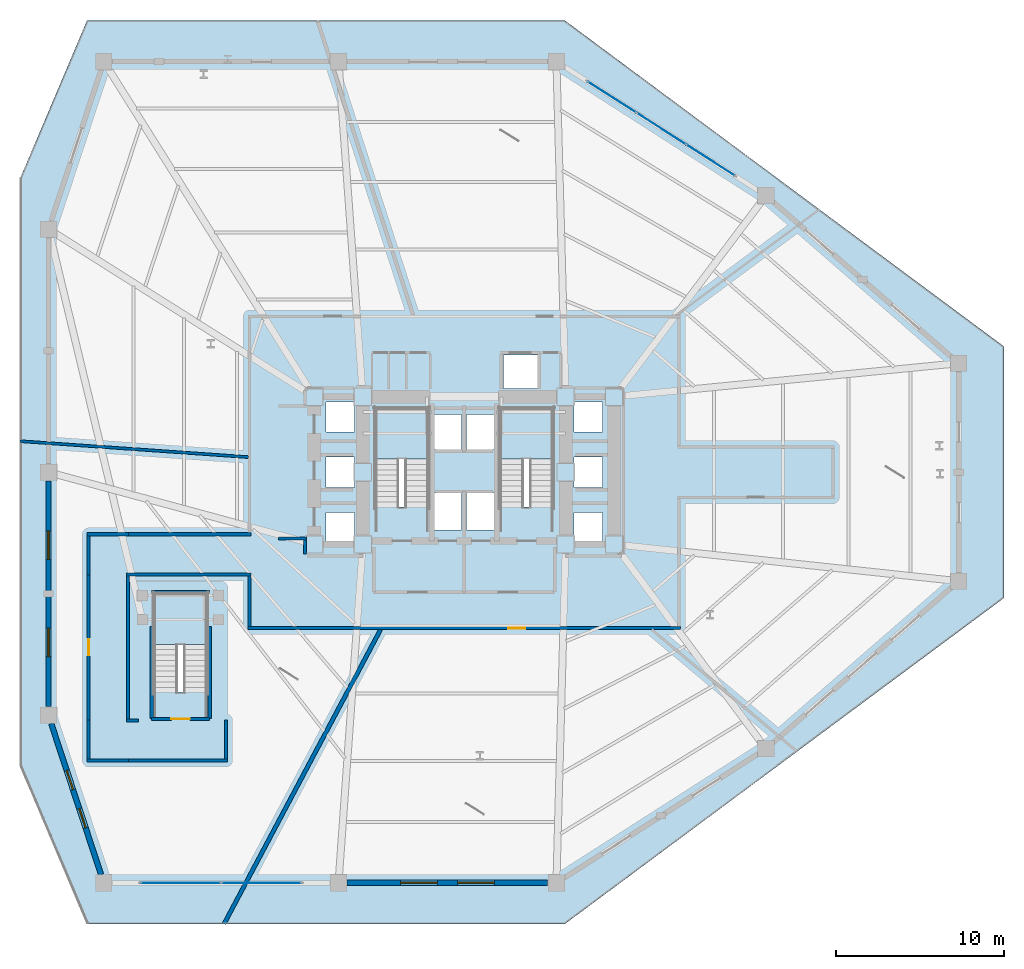
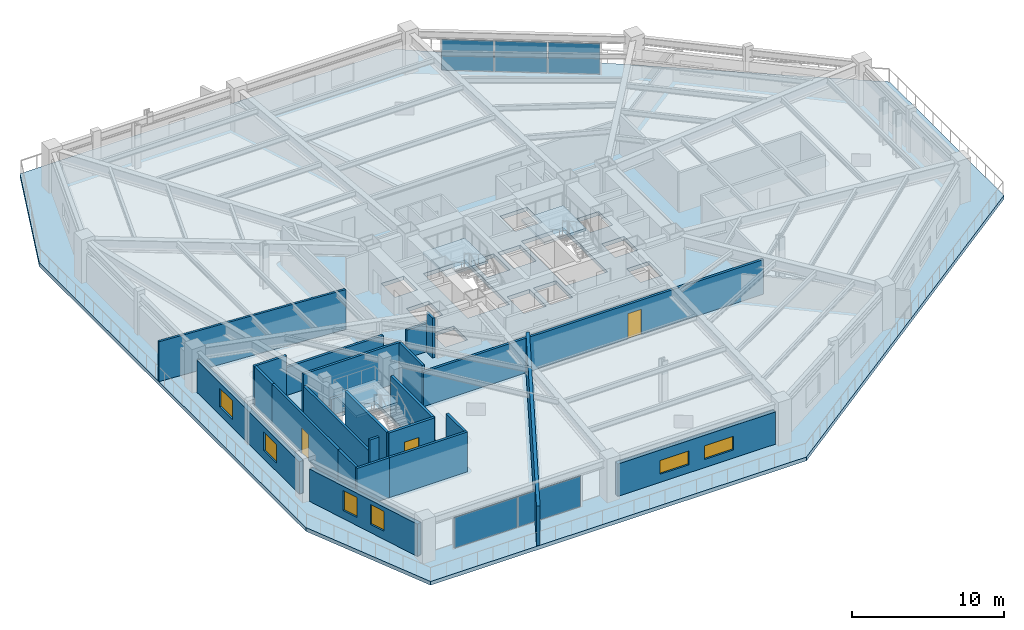
# One storey, part 5 of 12: 24 walls, 6 windows, 5 plates, 4 slabs, 3 doors, 9 openings, 5 elements without a shape of their own.
"""IFC4 building model written with IfcOpenShell, lengths in metres."""

from ifc_helpers import new_model, si_unit, direction, frame, frame_2d, origin, origin_2d, place, context, subcontext, project, spatial, polyline, rectangle, outline, extrude, material, layer, layer_set, type_object, element, fill, aggregate, save


model = new_model("IFC4")

# Units and contexts
model_context = context("Model", 3, precision=1e-05, world=origin(), true_north=direction((0.0, 1.0)))
body_context = subcontext(model_context, "Body", "Model", "MODEL_VIEW")
ifc_project = project(units=[si_unit("LENGTHUNIT", "METRE"), si_unit("AREAUNIT", "SQUARE_METRE"), si_unit("VOLUMEUNIT", "CUBIC_METRE"), si_unit("PLANEANGLEUNIT", "RADIAN"), si_unit("MASSUNIT", "GRAM", prefix="KILO")], contexts=[model_context])

# Site, building, storey
site_placement = place(None, origin())
site = spatial("IfcSite", under=ifc_project, at=site_placement, CompositionType="ELEMENT")
building_placement = place(site_placement, origin())
building = spatial("IfcBuilding", under=site, at=building_placement, Name="Rocaltana Carrier Exchange", CompositionType="ELEMENT")
storey_placement = place(building_placement, frame((0.0, 0.0, 8.320068359375)))
storey = spatial("IfcBuildingStorey", under=building, at=storey_placement, Name="L03", CompositionType="ELEMENT", Elevation=8.320068359375)

# Curtain wall, plates
ifc_material_1 = material(Name="Aluminium 6063-T6", Category="aluminium")
ifc_layer_1 = layer(ifc_material_1, 0.179931640625)
ifc_layer_set_1 = layer_set([ifc_layer_1], Name="Aluminium 6063-T6")
curtain_wall_type = type_object("IfcCurtainWallType", Name="Sandstone Spandrel Unitised Curtain Wall CW-01", PredefinedType="NOTDEFINED", material=ifc_layer_set_1)
curtain_wall_1_placement = place(storey_placement, origin())
curtain_wall_1 = element("IfcCurtainWall", 1, at=curtain_wall_1_placement, inside=storey, type_object=curtain_wall_type, Name="L03 CW-01 Run CW01-POD-L03-B01", PredefinedType="NOTDEFINED")
ifc_material_2 = material(Name="Tempered Laminated Glass", Category="glass")
ifc_layer_2 = layer(ifc_material_2, 0.0439453125)
ifc_layer_set_2 = layer_set([ifc_layer_2], Name="Tempered Laminated Glass")
plate_type = type_object("IfcPlateType", Name="CW-01 Stone-Insulated Vision Panel", PredefinedType="CURTAIN_PANEL", material=ifc_layer_set_2)
plate_1_placement = place(storey_placement, frame((-12.09130859375, -24.5, 0.06494140625), z_axis=(0.0, 0.0, 1.0), x_axis=(-1.0, 0.0, 0.0)))
plate_1 = element("IfcPlate", 2, at=plate_1_placement, type_object=plate_type, Name="CW-01 panel 1.1", PredefinedType="CURTAIN_PANEL", context=body_context, shape_type="SweptSolid", body=[
    extrude(rectangle(XDim=4.75244140625, YDim=0.0439453125, at=origin_2d()), origin(), (0.0, 0.0, 1.0), 2.4580078125),
])
plate_2_placement = place(storey_placement, frame((-16.90869140625, -24.5, 0.06494140625), z_axis=(0.0, 0.0, 1.0), x_axis=(-1.0, 0.0, 0.0)))
plate_2 = element("IfcPlate", 3, at=plate_2_placement, type_object=plate_type, Name="CW-01 panel 2.1", PredefinedType="CURTAIN_PANEL", context=body_context, shape_type="SweptSolid", body=[
    extrude(rectangle(XDim=4.75244140625, YDim=0.0439453125, at=origin_2d()), origin(), (0.0, 0.0, 1.0), 2.4580078125),
])
aggregate(curtain_wall_1, [plate_1, plate_2])

curtain_wall_2_placement = place(storey_placement, origin())
curtain_wall_2 = element("IfcCurtainWall", 4, at=curtain_wall_2_placement, inside=storey, type_object=curtain_wall_type, Name="L03 CW-01 Run CW01-POD-L03-B07", PredefinedType="NOTDEFINED")
plate_3_placement = place(storey_placement, frame((8.80419921875, 22.38525390625, 0.06494140625), z_axis=(0.0, 0.0, 1.0), x_axis=(0.842273468198, -0.539050465884, 0.0)))
plate_3 = element("IfcPlate", 5, at=plate_3_placement, type_object=plate_type, Name="CW-01 panel 1.1", PredefinedType="CURTAIN_PANEL", context=body_context, shape_type="SweptSolid", body=[
    extrude(rectangle(XDim=3.416015625, YDim=0.0439453125, at=origin_2d()), origin(), (0.0, 0.0, 1.0), 2.4580078125),
])
plate_4_placement = place(storey_placement, frame((11.75, 20.5, 0.06494140625), z_axis=(0.0, 0.0, 1.0), x_axis=(0.842273468198, -0.539050465884, 0.0)))
plate_4 = element("IfcPlate", 6, at=plate_4_placement, type_object=plate_type, Name="CW-01 panel 2.1", PredefinedType="CURTAIN_PANEL", context=body_context, shape_type="SweptSolid", body=[
    extrude(rectangle(XDim=3.448486328125, YDim=0.0439453125, at=origin_2d()), origin(), (0.0, 0.0, 1.0), 2.4580078125),
])
plate_5_placement = place(storey_placement, frame((14.69580078125, 18.61474609375, 0.06494140625), z_axis=(0.0, 0.0, 1.0), x_axis=(0.842273468198, -0.539050465884, 0.0)))
plate_5 = element("IfcPlate", 7, at=plate_5_placement, type_object=plate_type, Name="CW-01 panel 3.1", PredefinedType="CURTAIN_PANEL", context=body_context, shape_type="SweptSolid", body=[
    extrude(rectangle(XDim=3.416015625, YDim=0.0439453125, at=origin_2d()), origin(), (0.0, 0.0, 1.0), 2.4580078125),
])
aggregate(curtain_wall_2, [plate_3, plate_4, plate_5])

# Slab
ifc_material_3 = material(Name="Concrete C60/75", Category="concrete")
ifc_layer_3 = layer(ifc_material_3, 0.300048828125)
ifc_layer_set_3 = layer_set([ifc_layer_3], Name="Concrete C60/75")
slab_type_1 = type_object("IfcSlabType", Name="Podium Floor Slab 300", PredefinedType="FLOOR", material=ifc_layer_set_3)
slab_1_placement = place(storey_placement, frame((0.0, 0.0, -0.300048828125)))
element("IfcSlab", 8, at=slab_1_placement, inside=storey, type_object=slab_type_1, Name="L03 Structural Floor Slab", PredefinedType="FLOOR", context=body_context, shape_type="SweptSolid", body=[
    extrude(outline(polyline([(-22.5, -26.949951171875), (6.0, -26.949951171875), (32.199951171875, -7.5), (32.199951171875, 7.5), (6.0, 26.949951171875), (-22.5, 26.949951171875), (-26.5, 17.5), (-26.5, -17.5), (-22.5, -26.949951171875)]), holes=[polyline([(-5.300048828125, -2.06005859375), (-2.139892578125, -2.06005859375), (-2.139892578125, 3.800048828125), (-5.300048828125, 3.800048828125), (-5.300048828125, -2.06005859375)]), polyline([(2.139892578125, -2.06005859375), (5.300048828125, -2.06005859375), (5.300048828125, 3.800048828125), (2.139892578125, 3.800048828125), (2.139892578125, -2.06005859375)]), polyline([(-18.5, -13.110107421875), (-15.340087890625, -13.110107421875), (-15.340087890625, -7.25), (-18.5, -7.25), (-18.5, -13.110107421875)]), polyline([(-1.85009765625, -3.449951171875), (-0.14990234375, -3.449951171875), (-0.14990234375, -1.25), (-1.85009765625, -1.25), (-1.85009765625, -3.449951171875)]), polyline([(0.14990234375, -3.449951171875), (1.85009765625, -3.449951171875), (1.85009765625, -1.25), (0.14990234375, -1.25), (0.14990234375, -3.449951171875)]), polyline([(2.35009765625, 4.97998046875), (4.39990234375, 4.97998046875), (4.39990234375, 6.97998046875), (2.35009765625, 6.97998046875), (2.35009765625, 4.97998046875)]), polyline([(-1.85009765625, 1.35009765625), (-0.14990234375, 1.35009765625), (-0.14990234375, 3.449951171875), (-1.85009765625, 3.449951171875), (-1.85009765625, 1.35009765625)]), polyline([(0.14990234375, 1.35009765625), (1.85009765625, 1.35009765625), (1.85009765625, 3.449951171875), (0.14990234375, 3.449951171875), (0.14990234375, 1.35009765625)]), polyline([(-8.25, -4.199951171875), (-6.550048828125, -4.199951171875), (-6.550048828125, -2.39990234375), (-8.25, -2.39990234375), (-8.25, -4.199951171875)]), polyline([(-8.25, -0.89990234375), (-6.550048828125, -0.89990234375), (-6.550048828125, 0.89990234375), (-8.25, 0.89990234375), (-8.25, -0.89990234375)]), polyline([(-8.25, 2.39990234375), (-6.550048828125, 2.39990234375), (-6.550048828125, 4.199951171875), (-8.25, 4.199951171875), (-8.25, 2.39990234375)]), polyline([(6.550048828125, -4.199951171875), (8.25, -4.199951171875), (8.25, -2.39990234375), (6.550048828125, -2.39990234375), (6.550048828125, -4.199951171875)]), polyline([(6.550048828125, -0.89990234375), (8.25, -0.89990234375), (8.25, 0.89990234375), (6.550048828125, 0.89990234375), (6.550048828125, -0.89990234375)]), polyline([(6.550048828125, 2.39990234375), (8.25, 2.39990234375), (8.25, 4.199951171875), (6.550048828125, 4.199951171875), (6.550048828125, 2.39990234375)])]), origin(), (0.0, 0.0, 1.0), 0.300048828125),
])

# Stair, slab
ifc_material_4 = material(Name="Precast concrete C45/55", Category="concrete")
stair_type = type_object("IfcStairType", Name="Standard Dog-Leg Stair 160", PredefinedType="HALF_TURN_STAIR", material=ifc_material_4)
stair_1_placement = place(storey_placement, origin())
stair_1 = element("IfcStair", 9, at=stair_1_placement, inside=storey, type_object=stair_type, Name="L03 Core West Exit Stair ST-1", PredefinedType="HALF_TURN_STAIR")
ifc_material_5 = material(Name="Precast concrete C45/55", Category="concrete")
ifc_layer_4 = layer(ifc_material_5, 0.199951171875)
ifc_layer_set_4 = layer_set([ifc_layer_4], Name="Precast concrete C45/55")
slab_type_2 = type_object("IfcSlabType", Name="Precast Stair Half-Landing 200", PredefinedType="LANDING", material=ifc_layer_set_4)
slab_2_placement = place(storey_placement, frame((0.0, 0.0, 1.559814453125)))
slab_2 = element("IfcSlab", 10, at=slab_2_placement, type_object=slab_type_2, Name="ST-1 landing 1", PredefinedType="LANDING", context=body_context, shape_type="SweptSolid", body=[
    extrude(outline(polyline([(-2.139892578125, 0.780029296875), (-2.139892578125, 3.800048828125), (-5.300048828125, 3.800048828125), (-5.300048828125, 0.780029296875), (-2.139892578125, 0.780029296875)])), origin(), (0.0, 0.0, 1.0), 0.2001953125),
])
aggregate(stair_1, [slab_2])

stair_2_placement = place(storey_placement, origin())
stair_2 = element("IfcStair", 11, at=stair_2_placement, inside=storey, type_object=stair_type, Name="L03 Core East Exit Stair ST-2", PredefinedType="HALF_TURN_STAIR")
slab_3_placement = place(storey_placement, frame((0.0, 0.0, 1.559814453125)))
slab_3 = element("IfcSlab", 12, at=slab_3_placement, type_object=slab_type_2, Name="ST-2 landing 1", PredefinedType="LANDING", context=body_context, shape_type="SweptSolid", body=[
    extrude(outline(polyline([(5.300048828125, 0.780029296875), (5.300048828125, 3.800048828125), (2.139892578125, 3.800048828125), (2.139892578125, 0.780029296875), (5.300048828125, 0.780029296875)])), origin(), (0.0, 0.0, 1.0), 0.2001953125),
])
aggregate(stair_2, [slab_3])

stair_3_placement = place(storey_placement, origin())
stair_3 = element("IfcStair", 13, at=stair_3_placement, inside=storey, type_object=stair_type, Name="L03 Podium Concourse Exit Stair ST-3", PredefinedType="HALF_TURN_STAIR")
slab_4_placement = place(storey_placement, frame((0.0, 0.0, 1.559814453125)))
slab_4 = element("IfcSlab", 14, at=slab_4_placement, type_object=slab_type_2, Name="ST-3 landing 1", PredefinedType="LANDING", context=body_context, shape_type="SweptSolid", body=[
    extrude(outline(polyline([(-15.340087890625, -10.27001953125), (-15.340087890625, -7.25), (-18.5, -7.25), (-18.5, -10.27001953125), (-15.340087890625, -10.27001953125)])), origin(), (0.0, 0.0, 1.0), 0.2001953125),
])
aggregate(stair_3, [slab_4])

# Walls
ifc_material_6 = material(Name="Double Acoustic Gypsum Partition", Category="gypsum")
ifc_layer_5 = layer(ifc_material_6, 0.159912109375)
ifc_layer_set_5 = layer_set([ifc_layer_5], Name="Double Acoustic Gypsum Partition")
wall_type_1 = type_object("IfcWallType", Name="Acoustic Studio Partition 160 EI60", PredefinedType="PARTITIONING", material=ifc_layer_set_5)
wall_1_placement = place(storey_placement, frame((-12.8798828125, 0.900634765625, 0.0), z_axis=(0.0, 0.0, 1.0), x_axis=(-0.99756431173, 0.069752734445, 0.0)))
element("IfcWall", 15, at=wall_1_placement, inside=storey, type_object=wall_type_1, Name="L03 Suite Divider Wall D5", PredefinedType="PARTITIONING", context=body_context, shape_type="SweptSolid", body=[
    extrude(rectangle(XDim=13.643310546875, YDim=0.159912109375, at=frame_2d((6.82177734375, 0.0))), origin(), (0.0, 0.0, 1.0), 3.19287109375),
])
ifc_material_7 = material(Name="Gypsum & Steel Stud Partition", Category="steel")
ifc_layer_6 = layer(ifc_material_7, 0.179931640625)
ifc_layer_set_6 = layer_set([ifc_layer_6], Name="Gypsum & Steel Stud Partition")
wall_type_2 = type_object("IfcWallType", Name="Corridor Fire Partition 180 EI60", PredefinedType="PARTITIONING", material=ifc_layer_set_6)
wall_2_placement = place(storey_placement, frame((-20.030029296875, -17.199951171875, 0.0), z_axis=(0.0, 0.0, 1.0), x_axis=(-1.0, 0.0, 0.0)))
element("IfcWall", 16, at=wall_2_placement, inside=storey, type_object=wall_type_2, Name="L03 Corridor Partition 1", PredefinedType="PARTITIONING", context=body_context, shape_type="SweptSolid", body=[
    extrude(rectangle(XDim=2.4599609375, YDim=0.179931640625, at=frame_2d((1.22998046875, 0.0))), origin(), (0.0, 0.0, 1.0), 3.19287109375),
])
wall_3_placement = place(storey_placement, frame((-22.39990234375, -17.110107421875, 0.0), z_axis=(0.0, 0.0, 1.0), x_axis=(0.0, 1.0, 0.0)))
element("IfcWall", 17, at=wall_3_placement, inside=storey, type_object=wall_type_2, Name="L03 Corridor Partition 2", PredefinedType="PARTITIONING", context=body_context, shape_type="SweptSolid", body=[
    extrude(rectangle(XDim=2.330078125, YDim=0.179931640625, at=frame_2d((1.1650390625, 0.0))), origin(), (0.0, 0.0, 1.0), 3.19287109375),
])

# Wall, opening, door
wall_4_placement = place(storey_placement, frame((-22.39990234375, -14.820068359375, 0.0), z_axis=(0.0, 0.0, 1.0), x_axis=(0.0, 1.0, 0.0)))
wall_4 = element("IfcWall", 18, at=wall_4_placement, inside=storey, type_object=wall_type_2, Name="L03 Corridor Partition 3", PredefinedType="PARTITIONING", context=body_context, shape_type="SweptSolid", body=[
    extrude(rectangle(XDim=8.739990234375, YDim=0.179931640625, at=frame_2d((4.3701171875, 0.0))), origin(), (0.0, 0.0, 1.0), 3.19287109375),
])
opening_1_placement = place(wall_4_placement, frame((3.889892578125, 0.0, 0.0)))
opening_1 = element("IfcOpeningElement", 19, at=opening_1_placement, cuts=wall_4, Name="Opening D-RM098", PredefinedType="OPENING", context=body_context, shape_type="SweptSolid", body=[
    extrude(rectangle(XDim=0.9599609375, YDim=2.02001953125, at=frame_2d((0.47998046875, 1.010009765625))), frame((0.0, 0.099853515625, 0.0), z_axis=(0.0, -1.0, 0.0), x_axis=(1.0, 0.0, 0.0)), (0.0, 0.0, 1.0), 0.199951171875),
])
ifc_material_8 = material(Name="Engineered Hardwood Timber", Category="wood")
door_type_1 = type_object("IfcDoorType", Name="Workspace Single Door 960x2020", OperationType="NOTDEFINED", PredefinedType="DOOR", material=ifc_material_8)
door_1_placement = place(opening_1_placement, origin())
door_1 = element("IfcDoor", 20, at=door_1_placement, inside=storey, type_object=door_type_1, Name="L03 Network Engineering Studio Entrance Door", OperationType="SINGLE_SWING_LEFT", OverallHeight=2.02001953125, OverallWidth=0.9599609375, PredefinedType="DOOR", context=body_context, shape_type="SweptSolid", body=[
    extrude(rectangle(XDim=0.9599609375, YDim=2.02001953125, at=frame_2d((0.47998046875, 1.010009765625))), frame((0.0, 0.02490234375, 0.0), z_axis=(0.0, -1.0, 0.0), x_axis=(1.0, 0.0, 0.0)), (0.0, 0.0, 1.0), 0.050048828125),
])
fill(opening_1, door_1)

# Walls
wall_5_placement = place(storey_placement, frame((-22.39990234375, -6.1201171875, 0.0), z_axis=(0.0, 0.0, 1.0), x_axis=(0.0, 1.0, 0.0)))
element("IfcWall", 21, at=wall_5_placement, inside=storey, type_object=wall_type_2, Name="L03 Corridor Partition 4", PredefinedType="PARTITIONING", context=body_context, shape_type="SweptSolid", body=[
    extrude(rectangle(XDim=2.330078125, YDim=0.179931640625, at=frame_2d((1.1650390625, 0.0))), origin(), (0.0, 0.0, 1.0), 3.19287109375),
])
wall_6_placement = place(storey_placement, frame((-22.489990234375, -3.699951171875, 0.0), z_axis=(0.0, 0.0, 1.0), x_axis=(1.0, 0.0, 0.0)))
element("IfcWall", 22, at=wall_6_placement, inside=storey, type_object=wall_type_2, Name="L03 Corridor Partition 5", PredefinedType="PARTITIONING", context=body_context, shape_type="SweptSolid", body=[
    extrude(rectangle(XDim=2.4599609375, YDim=0.179931640625, at=frame_2d((1.22998046875, 0.0))), origin(), (0.0, 0.0, 1.0), 3.19287109375),
])
wall_7_placement = place(storey_placement, frame((-20.070068359375, -3.699951171875, 0.0), z_axis=(0.0, 0.0, 1.0), x_axis=(1.0, 0.0, 0.0)))
element("IfcWall", 23, at=wall_7_placement, inside=storey, type_object=wall_type_2, Name="L03 Corridor Partition 6", PredefinedType="PARTITIONING", context=body_context, shape_type="SweptSolid", body=[
    extrude(rectangle(XDim=7.360107421875, YDim=0.179931640625, at=frame_2d((3.68017578125, 0.0))), origin(), (0.0, 0.0, 1.0), 2.245849609375),
])

# Wall, opening, door
wall_8_placement = place(storey_placement, frame((12.889892578125, -9.300048828125, 0.0), z_axis=(0.0, 0.0, 1.0), x_axis=(-1.0, 0.0, 0.0)))
wall_8 = element("IfcWall", 24, at=wall_8_placement, inside=storey, type_object=wall_type_2, Name="L03 Corridor Partition 14", PredefinedType="PARTITIONING", context=body_context, shape_type="SweptSolid", body=[
    extrude(rectangle(XDim=25.77978515625, YDim=0.179931640625, at=frame_2d((12.889892578125, 0.0))), origin(), (0.0, 0.0, 1.0), 2.760009765625),
])
opening_2_placement = place(wall_8_placement, frame((9.253662109375, 0.0, 0.0)))
opening_2 = element("IfcOpeningElement", 25, at=opening_2_placement, cuts=wall_8, Name="Opening D-LB104", PredefinedType="OPENING", context=body_context, shape_type="SweptSolid", body=[
    extrude(rectangle(XDim=1.02001953125, YDim=2.02001953125, at=frame_2d((0.510009765625, 1.010009765625))), frame((0.0, 0.099853515625, 0.0), z_axis=(0.0, -1.0, 0.0), x_axis=(1.0, 0.0, 0.0)), (0.0, 0.0, 1.0), 0.199951171875),
])
ifc_material_9 = material(Name="Powder-Coated Aluminium 6063-T6", Category="aluminium")
door_type_2 = type_object("IfcDoorType", Name="Laboratory Acoustic Door 1020x2020", OperationType="NOTDEFINED", PredefinedType="DOOR", material=ifc_material_9)
door_2_placement = place(opening_2_placement, origin())
door_2 = element("IfcDoor", 26, at=door_2_placement, inside=storey, type_object=door_type_2, Name="L03 Photonic Integration Workshop Entrance Door", OperationType="SINGLE_SWING_RIGHT", OverallHeight=2.02001953125, OverallWidth=1.02001953125, PredefinedType="DOOR", context=body_context, shape_type="SweptSolid", body=[
    extrude(rectangle(XDim=1.02001953125, YDim=2.02001953125, at=frame_2d((0.510009765625, 1.010009765625))), frame((0.0, 0.02490234375, 0.0), z_axis=(0.0, -1.0, 0.0), x_axis=(1.0, 0.0, 0.0)), (0.0, 0.0, 1.0), 0.050048828125),
])
fill(opening_2, door_2)

# Walls
wall_9_placement = place(storey_placement, frame((-12.800048828125, -9.2099609375, 0.0), z_axis=(0.0, 0.0, 1.0), x_axis=(0.0, 1.0, 0.0)))
element("IfcWall", 27, at=wall_9_placement, inside=storey, type_object=wall_type_2, Name="L03 Corridor Partition 15", PredefinedType="PARTITIONING", context=body_context, shape_type="SweptSolid", body=[
    extrude(rectangle(XDim=3.02001953125, YDim=0.179931640625, at=frame_2d((1.510009765625, 0.0))), origin(), (0.0, 0.0, 1.0), 3.19287109375),
])
wall_10_placement = place(storey_placement, frame((-12.7099609375, -6.10009765625, 0.0), z_axis=(0.0, 0.0, 1.0), x_axis=(-1.0, 0.0, 0.0)))
element("IfcWall", 28, at=wall_10_placement, inside=storey, type_object=wall_type_2, Name="L03 Corridor Partition 16", PredefinedType="PARTITIONING", context=body_context, shape_type="SweptSolid", body=[
    extrude(rectangle(XDim=7.429931640625, YDim=0.179931640625, at=frame_2d((3.71484375, 0.0))), origin(), (0.0, 0.0, 1.0), 3.19287109375),
])
wall_11_placement = place(storey_placement, frame((-20.050048828125, -6.18994140625, 0.0), z_axis=(0.0, 0.0, 1.0), x_axis=(0.0, -1.0, 0.0)))
element("IfcWall", 29, at=wall_11_placement, inside=storey, type_object=wall_type_2, Name="L03 Corridor Partition 17", PredefinedType="PARTITIONING", context=body_context, shape_type="SweptSolid", body=[
    extrude(rectangle(XDim=8.52001953125, YDim=0.179931640625, at=frame_2d((4.260009765625, 0.0))), origin(), (0.0, 0.0, 1.0), 2.245849609375),
])
wall_12_placement = place(storey_placement, frame((-20.139892578125, -14.800048828125, 0.0), z_axis=(0.0, 0.0, 1.0), x_axis=(1.0, 0.0, 0.0)))
element("IfcWall", 30, at=wall_12_placement, inside=storey, type_object=wall_type_2, Name="L03 Corridor Partition 18", PredefinedType="PARTITIONING", context=body_context, shape_type="SweptSolid", body=[
    extrude(rectangle(XDim=0.7099609375, YDim=0.179931640625, at=frame_2d((0.35498046875, 0.0))), origin(), (0.0, 0.0, 1.0), 3.19287109375),
])
wall_13_placement = place(storey_placement, frame((-14.199951171875, -14.780029296875, 0.0), z_axis=(0.0, 0.0, 1.0), x_axis=(0.0, -1.0, 0.0)))
element("IfcWall", 31, at=wall_13_placement, inside=storey, type_object=wall_type_2, Name="L03 Corridor Partition 19", PredefinedType="PARTITIONING", context=body_context, shape_type="SweptSolid", body=[
    extrude(rectangle(XDim=2.330078125, YDim=0.179931640625, at=frame_2d((1.1650390625, 0.0))), origin(), (0.0, 0.0, 1.0), 3.19287109375),
])
wall_14_placement = place(storey_placement, frame((-14.110107421875, -17.199951171875, 0.0), z_axis=(0.0, 0.0, 1.0), x_axis=(-1.0, 0.0, 0.0)))
element("IfcWall", 32, at=wall_14_placement, inside=storey, type_object=wall_type_2, Name="L03 Corridor Partition 20", PredefinedType="PARTITIONING", context=body_context, shape_type="SweptSolid", body=[
    extrude(rectangle(XDim=5.9599609375, YDim=0.179931640625, at=frame_2d((2.97998046875, 0.0))), origin(), (0.0, 0.0, 1.0), 3.19287109375),
])
wall_15_placement = place(storey_placement, frame((-11.070068359375, -3.9599609375, 0.0), z_axis=(0.0, 0.0, 1.0), x_axis=(1.0, 0.0, 0.0)))
element("IfcWall", 33, at=wall_15_placement, inside=storey, type_object=wall_type_2, Name="L03 Corridor Partition 21", PredefinedType="PARTITIONING", context=body_context, shape_type="SweptSolid", body=[
    extrude(rectangle(XDim=1.650146484375, YDim=0.179931640625, at=frame_2d((0.8251953125, 0.0))), origin(), (0.0, 0.0, 1.0), 2.245849609375),
])
wall_16_placement = place(storey_placement, frame((-9.510009765625, -4.050048828125, 0.0), z_axis=(0.0, 0.0, 1.0), x_axis=(0.0, -1.0, 0.0)))
element("IfcWall", 34, at=wall_16_placement, inside=storey, type_object=wall_type_2, Name="L03 Corridor Partition 22", PredefinedType="PARTITIONING", context=body_context, shape_type="SweptSolid", body=[
    extrude(rectangle(XDim=0.820068359375, YDim=0.179931640625, at=frame_2d((0.41015625, 0.0))), origin(), (0.0, 0.0, 1.0), 3.19287109375),
])
ifc_material_10 = material(Name="Acoustic Calcium Silicate Partition", Category="gypsum")
ifc_layer_7 = layer(ifc_material_10, 0.239990234375)
ifc_layer_set_7 = layer_set([ifc_layer_7], Name="Acoustic Calcium Silicate Partition")
wall_type_3 = type_object("IfcWallType", Name="Heavy Lab Partition 240 EI90", PredefinedType="PARTITIONING", material=ifc_layer_set_7)
wall_17_placement = place(storey_placement, frame((-4.9873046875, -9.3798828125, 0.0), z_axis=(0.0, 0.0, 1.0), x_axis=(-0.469474122014, -0.882946232088, 0.0)))
element("IfcWall", 35, at=wall_17_placement, inside=storey, type_object=wall_type_3, Name="L03 Suite Divider Wall D1", PredefinedType="PARTITIONING", context=body_context, shape_type="SweptSolid", body=[
    extrude(rectangle(XDim=19.887939453125, YDim=0.239990234375, at=frame_2d((9.94384765625, 0.0))), origin(), (0.0, 0.0, 1.0), 3.19287109375),
])
ifc_material_11 = material(Name="Reinforced Concrete Block C35/45", Category="concrete")
ifc_layer_8 = layer(ifc_material_11, 0.199951171875)
ifc_layer_set_8 = layer_set([ifc_layer_8], Name="Reinforced Concrete Block C35/45")
wall_type_4 = type_object("IfcWallType", Name="Lift Hoistway Enclosure Wall 200 EI120", PredefinedType="PARTITIONING", material=ifc_layer_set_8)
for number, where, z_axis, x_axis, name in (
    (36, (-18.64990234375, -14.699951171875, 0.0), (0.0, 0.0, 1.0), (0.0, 1.0, 0.0), "L03 Podium Stair ST-3 West Wall"),
    (37, (-15.18994140625, -14.699951171875, 0.0), (0.0, 0.0, 1.0), (0.0, 1.0, 0.0), "L03 Podium Stair ST-3 East Wall"),
):
    element("IfcWall", number, at=place(storey_placement, frame(where, z_axis=z_axis, x_axis=x_axis)), inside=storey, type_object=wall_type_4, Name=name, PredefinedType="PARTITIONING", context=body_context, shape_type="SweptSolid", body=[
        extrude(rectangle(XDim=5.5, YDim=0.199951171875, at=frame_2d((2.75, 0.0))), origin(), (0.0, 0.0, 1.0), 3.19287109375),
    ])
wall_18_placement = place(storey_placement, frame((-18.64990234375, -7.14990234375, 0.0), z_axis=(0.0, 0.0, 1.0), x_axis=(1.0, 0.0, 0.0)))
element("IfcWall", 38, at=wall_18_placement, inside=storey, type_object=wall_type_4, Name="L03 Podium Stair ST-3 North Wall", PredefinedType="PARTITIONING", context=body_context, shape_type="SweptSolid", body=[
    extrude(rectangle(XDim=3.4599609375, YDim=0.199951171875, at=frame_2d((1.72998046875, 0.0))), origin(), (0.0, 0.0, 1.0), 1.300048828125),
])

# Wall, opening, door
wall_19_placement = place(storey_placement, frame((-18.64990234375, -14.719970703125, 0.0), z_axis=(0.0, 0.0, 1.0), x_axis=(1.0, 0.0, 0.0)))
wall_19 = element("IfcWall", 39, at=wall_19_placement, inside=storey, type_object=wall_type_4, Name="L03 Podium Stair ST-3 South Landing Wall", PredefinedType="PARTITIONING", context=body_context, shape_type="SweptSolid", body=[
    extrude(rectangle(XDim=3.4599609375, YDim=0.199951171875, at=frame_2d((1.72998046875, 0.0))), origin(), (0.0, 0.0, 1.0), 3.19287109375),
])
opening_3_placement = place(wall_19_placement, frame((1.179931640625, 0.0, 0.0)))
opening_3 = element("IfcOpeningElement", 40, at=opening_3_placement, cuts=wall_19, Name="Opening D-ST110", PredefinedType="OPENING", context=body_context, shape_type="SweptSolid", body=[
    extrude(rectangle(XDim=1.10009765625, YDim=2.0400390625, at=frame_2d((0.550048828125, 1.02001953125))), frame((0.0, 0.10986328125, 0.0), z_axis=(0.0, -1.0, 0.0), x_axis=(1.0, 0.0, 0.0)), (0.0, 0.0, 1.0), 0.219970703125),
])
ifc_material_12 = material(Name="Hollow Metal Fire Door Assembly", Category="steel")
door_type_3 = type_object("IfcDoorType", Name="Exit Stair Fire Door 1100x2040 FD90S", OperationType="NOTDEFINED", PredefinedType="DOOR", material=ifc_material_12)
door_3_placement = place(opening_3_placement, origin())
door_3 = element("IfcDoor", 41, at=door_3_placement, inside=storey, type_object=door_type_3, Name="L03 Podium Stair ST-3 Fire Door", OperationType="SINGLE_SWING_RIGHT", OverallHeight=2.0400390625, OverallWidth=1.10009765625, PredefinedType="DOOR", context=body_context, shape_type="SweptSolid", body=[
    extrude(rectangle(XDim=1.10009765625, YDim=2.0400390625, at=frame_2d((0.550048828125, 1.02001953125))), frame((0.0, 0.02490234375, 0.0), z_axis=(0.0, -1.0, 0.0), x_axis=(1.0, 0.0, 0.0)), (0.0, 0.0, 1.0), 0.050048828125),
])
fill(opening_3, door_3)

# Wall, openings, windows
ifc_material_13 = material(Name="Precast sandstone concrete C45/55", Category="masonry")
ifc_layer_9 = layer(ifc_material_13, 0.320068359375)
ifc_layer_set_9 = layer_set([ifc_layer_9], Name="Precast sandstone concrete C45/55")
wall_type_5 = type_object("IfcWallType", Name="Precast Sandstone Facade Wall 320", PredefinedType="SOLIDWALL", material=ifc_layer_set_9)
wall_20_placement = place(storey_placement, frame((4.97998046875, -24.5, 0.0), z_axis=(0.0, 0.0, 1.0), x_axis=(-1.0, 0.0, 0.0)))
wall_20 = element("IfcWall", 42, at=wall_20_placement, inside=storey, type_object=wall_type_5, Name="L03 Sandstone Facade Wall B02", PredefinedType="SOLIDWALL", context=body_context, shape_type="SweptSolid", body=[
    extrude(rectangle(XDim=11.9599609375, YDim=0.320068359375, at=frame_2d((5.97998046875, 0.0))), origin(), (0.0, 0.0, 1.0), 2.587890625),
])
opening_4_placement = place(wall_20_placement, frame((3.179931640625, 0.0, 0.64990234375)))
opening_4 = element("IfcOpeningElement", 43, at=opening_4_placement, cuts=wall_20, Name="Opening W-04", PredefinedType="OPENING", context=body_context, shape_type="SweptSolid", body=[
    extrude(rectangle(XDim=2.199951171875, YDim=1.10009765625, at=frame_2d((1.10009765625, 0.550048828125))), frame((0.0, 0.169921875, 0.0), z_axis=(0.0, -1.0, 0.0), x_axis=(1.0, 0.0, 0.0)), (0.0, 0.0, 1.0), 0.340087890625),
])
opening_5_placement = place(wall_20_placement, frame((6.580078125, 0.0, 0.64990234375)))
opening_5 = element("IfcOpeningElement", 44, at=opening_5_placement, cuts=wall_20, Name="Opening W-04", PredefinedType="OPENING", context=body_context, shape_type="SweptSolid", body=[
    extrude(rectangle(XDim=2.199951171875, YDim=1.10009765625, at=frame_2d((1.10009765625, 0.550048828125))), frame((0.0, 0.169921875, 0.0), z_axis=(0.0, -1.0, 0.0), x_axis=(1.0, 0.0, 0.0)), (0.0, 0.0, 1.0), 0.340087890625),
])
ifc_material_14 = material(Name="Aluminium 6063-T6 & Double Glazing", Category="aluminium")
window_type_1 = type_object("IfcWindowType", Name="Podium Clerestory Window 2200x1100", PartitioningType="SINGLE_PANEL", PredefinedType="WINDOW", material=ifc_material_14)
window_1_placement = place(opening_4_placement, origin())
window_1 = element("IfcWindow", 45, at=window_1_placement, inside=storey, type_object=window_type_1, Name="L03 Punched Window B02-1", OverallHeight=1.10009765625, OverallWidth=2.199951171875, PartitioningType="SINGLE_PANEL", PredefinedType="WINDOW", context=body_context, shape_type="SweptSolid", body=[
    extrude(rectangle(XDim=2.199951171875, YDim=1.10009765625, at=frame_2d((1.10009765625, 0.550048828125))), frame((0.0, 0.030029296875, 0.0), z_axis=(0.0, -1.0, 0.0), x_axis=(1.0, 0.0, 0.0)), (0.0, 0.0, 1.0), 0.06005859375),
])
fill(opening_4, window_1)
window_2_placement = place(opening_5_placement, origin())
window_2 = element("IfcWindow", 46, at=window_2_placement, inside=storey, type_object=window_type_1, Name="L03 Punched Window B02-2", OverallHeight=1.10009765625, OverallWidth=2.199951171875, PartitioningType="SINGLE_PANEL", PredefinedType="WINDOW", context=body_context, shape_type="SweptSolid", body=[
    extrude(rectangle(XDim=2.199951171875, YDim=1.10009765625, at=frame_2d((1.10009765625, 0.550048828125))), frame((0.0, 0.030029296875, 0.0), z_axis=(0.0, -1.0, 0.0), x_axis=(1.0, 0.0, 0.0)), (0.0, 0.0, 1.0), 0.06005859375),
])
fill(opening_5, window_2)

wall_21_placement = place(storey_placement, frame((-24.800048828125, -13.97998046875, 0.0), z_axis=(0.0, 0.0, 1.0), x_axis=(0.0, 1.0, 0.0)))
wall_21 = element("IfcWall", 47, at=wall_21_placement, inside=storey, type_object=wall_type_5, Name="L03 Sandstone Facade Wall B12", PredefinedType="SOLIDWALL", context=body_context, shape_type="SweptSolid", body=[
    extrude(rectangle(XDim=13.4599609375, YDim=0.320068359375, at=frame_2d((6.72998046875, 0.0))), origin(), (0.0, 0.0, 1.0), 2.587890625),
])
opening_6_placement = place(wall_21_placement, frame((2.97998046875, 0.0, 0.64990234375)))
opening_6 = element("IfcOpeningElement", 48, at=opening_6_placement, cuts=wall_21, Name="Opening W-02", PredefinedType="OPENING", context=body_context, shape_type="SweptSolid", body=[
    extrude(rectangle(XDim=1.699951171875, YDim=1.5, at=frame_2d((0.85009765625, 0.75))), frame((0.0, 0.169921875, 0.0), z_axis=(0.0, -1.0, 0.0), x_axis=(1.0, 0.0, 0.0)), (0.0, 0.0, 1.0), 0.340087890625),
])
opening_7_placement = place(wall_21_placement, frame((8.780029296875, 0.0, 0.64990234375)))
opening_7 = element("IfcOpeningElement", 49, at=opening_7_placement, cuts=wall_21, Name="Opening W-02", PredefinedType="OPENING", context=body_context, shape_type="SweptSolid", body=[
    extrude(rectangle(XDim=1.699951171875, YDim=1.5, at=frame_2d((0.85009765625, 0.75))), frame((0.0, 0.169921875, 0.0), z_axis=(0.0, -1.0, 0.0), x_axis=(1.0, 0.0, 0.0)), (0.0, 0.0, 1.0), 0.340087890625),
])
ifc_material_15 = material(Name="Aluminium 6063-T6 & Double Glazing", Category="aluminium")
window_type_2 = type_object("IfcWindowType", Name="Podium Technical Window 1700x1500", PartitioningType="SINGLE_PANEL", PredefinedType="WINDOW", material=ifc_material_15)
window_3_placement = place(opening_6_placement, origin())
window_3 = element("IfcWindow", 50, at=window_3_placement, inside=storey, type_object=window_type_2, Name="L03 Punched Window B12-1", OverallHeight=1.5, OverallWidth=1.699951171875, PartitioningType="SINGLE_PANEL", PredefinedType="WINDOW", context=body_context, shape_type="SweptSolid", body=[
    extrude(rectangle(XDim=1.699951171875, YDim=1.5, at=frame_2d((0.85009765625, 0.75))), frame((0.0, 0.030029296875, 0.0), z_axis=(0.0, -1.0, 0.0), x_axis=(1.0, 0.0, 0.0)), (0.0, 0.0, 1.0), 0.06005859375),
])
fill(opening_6, window_3)
window_4_placement = place(opening_7_placement, origin())
window_4 = element("IfcWindow", 51, at=window_4_placement, inside=storey, type_object=window_type_2, Name="L03 Punched Window B12-3", OverallHeight=1.5, OverallWidth=1.699951171875, PartitioningType="SINGLE_PANEL", PredefinedType="WINDOW", context=body_context, shape_type="SweptSolid", body=[
    extrude(rectangle(XDim=1.699951171875, YDim=1.5, at=frame_2d((0.85009765625, 0.75))), frame((0.0, 0.030029296875, 0.0), z_axis=(0.0, -1.0, 0.0), x_axis=(1.0, 0.0, 0.0)), (0.0, 0.0, 1.0), 0.06005859375),
])
fill(opening_7, window_4)

wall_22_placement = place(storey_placement, frame((-21.6630859375, -24.006103515625, 0.0), z_axis=(0.0, 0.0, 1.0), x_axis=(-0.313363070681, 0.949633395544, 0.0)))
wall_22 = element("IfcWall", 52, at=wall_22_placement, inside=storey, type_object=wall_type_5, Name="L03 Sandstone Facade Wall B13", PredefinedType="SOLIDWALL", context=body_context, shape_type="SweptSolid", body=[
    extrude(rectangle(XDim=9.490234375, YDim=0.320068359375, at=frame_2d((4.7451171875, 0.0))), origin(), (0.0, 0.0, 1.0), 2.587890625),
])
opening_8_placement = place(wall_22_placement, frame((2.9453125, 0.0, 0.64990234375)))
opening_8 = element("IfcOpeningElement", 53, at=opening_8_placement, cuts=wall_22, Name="Opening W-03", PredefinedType="OPENING", context=body_context, shape_type="SweptSolid", body=[
    extrude(rectangle(XDim=1.199951171875, YDim=1.60009765625, at=frame_2d((0.60009765625, 0.800048828125))), frame((0.0, 0.169921875, 0.0), z_axis=(0.0, -1.0, 0.0), x_axis=(1.0, 0.0, 0.0)), (0.0, 0.0, 1.0), 0.340087890625),
])
opening_9_placement = place(wall_22_placement, frame((5.34521484375, 0.0, 0.64990234375)))
opening_9 = element("IfcOpeningElement", 54, at=opening_9_placement, cuts=wall_22, Name="Opening W-03", PredefinedType="OPENING", context=body_context, shape_type="SweptSolid", body=[
    extrude(rectangle(XDim=1.199951171875, YDim=1.60009765625, at=frame_2d((0.60009765625, 0.800048828125))), frame((0.0, 0.169921875, 0.0), z_axis=(0.0, -1.0, 0.0), x_axis=(1.0, 0.0, 0.0)), (0.0, 0.0, 1.0), 0.340087890625),
])
ifc_material_16 = material(Name="Aluminium 6063-T6 & Double Glazing", Category="aluminium")
window_type_3 = type_object("IfcWindowType", Name="Podium Narrow Slot Window 1200x1600", PartitioningType="SINGLE_PANEL", PredefinedType="WINDOW", material=ifc_material_16)
window_5_placement = place(opening_8_placement, origin())
window_5 = element("IfcWindow", 55, at=window_5_placement, inside=storey, type_object=window_type_3, Name="L03 Punched Window B13-1", OverallHeight=1.60009765625, OverallWidth=1.199951171875, PartitioningType="SINGLE_PANEL", PredefinedType="WINDOW", context=body_context, shape_type="SweptSolid", body=[
    extrude(rectangle(XDim=1.199951171875, YDim=1.60009765625, at=frame_2d((0.60009765625, 0.800048828125))), frame((0.0, 0.030029296875, 0.0), z_axis=(0.0, -1.0, 0.0), x_axis=(1.0, 0.0, 0.0)), (0.0, 0.0, 1.0), 0.06005859375),
])
fill(opening_8, window_5)
window_6_placement = place(opening_9_placement, origin())
window_6 = element("IfcWindow", 56, at=window_6_placement, inside=storey, type_object=window_type_3, Name="L03 Punched Window B13-2", OverallHeight=1.60009765625, OverallWidth=1.199951171875, PartitioningType="SINGLE_PANEL", PredefinedType="WINDOW", context=body_context, shape_type="SweptSolid", body=[
    extrude(rectangle(XDim=1.199951171875, YDim=1.60009765625, at=frame_2d((0.60009765625, 0.800048828125))), frame((0.0, 0.030029296875, 0.0), z_axis=(0.0, -1.0, 0.0), x_axis=(1.0, 0.0, 0.0)), (0.0, 0.0, 1.0), 0.06005859375),
])
fill(opening_9, window_6)

save(model, "model.ifc")
